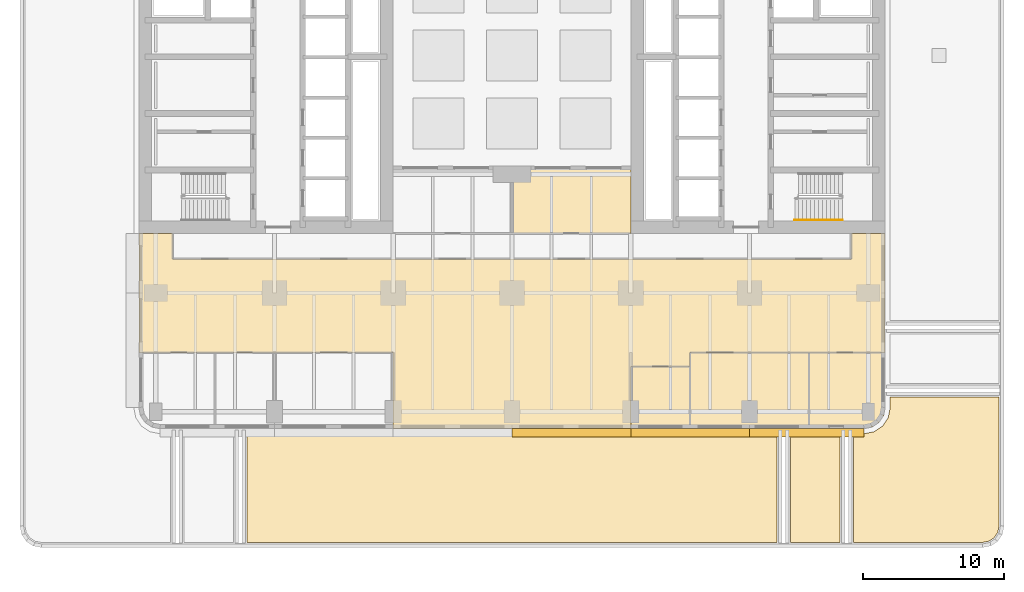
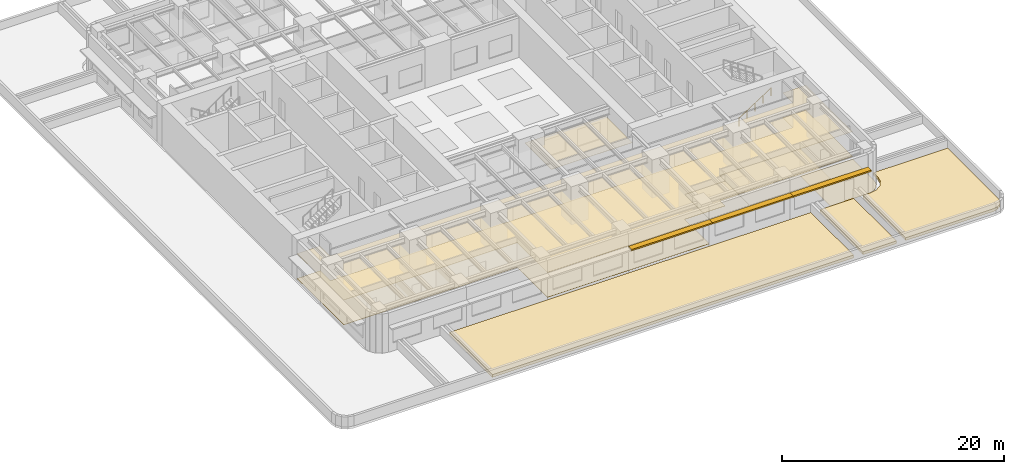
# One storey, part 13 of 17: 9 coverings, 3 shading devices, 1 railing.
"""IFC4 building model written with IfcOpenShell, lengths in metres."""

from ifc_helpers import new_model, si_unit, direction, frame, origin, origin_2d, place, context, subcontext, project, spatial, polyline, rectangle, circle, outline, extrude, material, layer, layer_set, type_object, element, save


model = new_model("IFC4")

# Units and contexts
model_context = context("Model", 3, precision=1e-05, world=origin(), true_north=direction((0.0, 1.0)))
body_context = subcontext(model_context, "Body", "Model", "MODEL_VIEW")
ifc_project = project(units=[si_unit("LENGTHUNIT", "METRE"), si_unit("AREAUNIT", "SQUARE_METRE"), si_unit("VOLUMEUNIT", "CUBIC_METRE"), si_unit("PLANEANGLEUNIT", "RADIAN"), si_unit("MASSUNIT", "GRAM", prefix="KILO")], contexts=[model_context])

# Site, building, storey
site_placement = place(None, origin())
site = spatial("IfcSite", under=ifc_project, at=site_placement, CompositionType="ELEMENT")
building_placement = place(site_placement, origin())
building = spatial("IfcBuilding", under=site, at=building_placement, Name="Claustro Exchange Tower", CompositionType="ELEMENT")
storey_placement = place(building_placement, frame((0.0, 0.0, 18.89990234375)))
storey = spatial("IfcBuildingStorey", under=building, at=storey_placement, Name="L04", CompositionType="ELEMENT", Elevation=18.89990234375)

# Coverings
ifc_material_1 = material(Name="Gypsum board ceiling", Category="gypsum board")
ifc_layer_1 = layer(ifc_material_1, 0.02490234375)
ifc_layer_set_1 = layer_set([ifc_layer_1], Name="Gypsum board ceiling")
covering_type_1 = type_object("IfcCoveringType", Name="CL2 plasterboard ceiling", PredefinedType="CEILING", material=ifc_layer_set_1)
covering_1_placement = place(storey_placement, frame((0.0, 0.0, 3.0)))
element("IfcCovering", 1, at=covering_1_placement, inside=storey, type_object=covering_type_1, Name="Ceiling CL2 L04-01", PredefinedType="CEILING", context=body_context, shape_type="SweptSolid", body=[
    extrude(outline(polyline([(33.60009765625, -1.199951171875), (37.800048828125, -1.199951171875), (37.800048828125, 3.199951171875), (33.60009765625, 3.199951171875), (33.60009765625, -1.199951171875)])), origin(), (0.0, 0.0, 1.0), 0.025146484375),
])
covering_2_placement = place(storey_placement, frame((0.0, 0.0, 3.0)))
element("IfcCovering", 2, at=covering_2_placement, inside=storey, type_object=covering_type_1, Name="Ceiling CL2 L04-05", PredefinedType="CEILING", context=body_context, shape_type="SweptSolid", body=[
    extrude(outline(polyline([(37.800048828125, -1.199951171875), (46.199951171875, -1.199951171875), (46.199951171875, 4.199951171875), (37.800048828125, 4.199951171875), (37.800048828125, -1.199951171875)])), origin(), (0.0, 0.0, 1.0), 0.025146484375),
])
covering_3_placement = place(storey_placement, frame((0.0, 0.0, 3.0)))
element("IfcCovering", 3, at=covering_3_placement, inside=storey, type_object=covering_type_1, Name="Ceiling CL2 L04-07", PredefinedType="CEILING", context=body_context, shape_type="SweptSolid", body=[
    extrude(outline(polyline([(-1.199951171875, 12.60009765625), (-1.199951171875, 4.199951171875), (4.199951171875, 4.199951171875), (8.39990234375, 4.199951171875), (16.800048828125, 4.199951171875), (16.800048828125, -1.199951171875), (33.60009765625, -1.199951171875), (33.60009765625, 3.199951171875), (37.800048828125, 3.199951171875), (37.800048828125, 4.199951171875), (46.199951171875, 4.199951171875), (51.60009765625, 4.199951171875), (51.60009765625, 12.60009765625), (49.199951171875, 12.60009765625), (49.199951171875, 10.800048828125), (1.199951171875, 10.800048828125), (1.199951171875, 12.60009765625), (-1.199951171875, 12.60009765625)])), origin(), (0.0, 0.0, 1.0), 0.025146484375),
])
covering_4_placement = place(storey_placement, frame((0.0, 0.0, 3.0)))
element("IfcCovering", 4, at=covering_4_placement, inside=storey, type_object=covering_type_1, Name="Ceiling CL2 L04-10", PredefinedType="CEILING", context=body_context, shape_type="SweptSolid", body=[
    extrude(outline(polyline([(33.60009765625, 17.39990234375), (25.199951171875, 17.39990234375), (25.199951171875, 12.60009765625), (33.60009765625, 12.60009765625), (33.60009765625, 17.39990234375)])), origin(), (0.0, 0.0, 1.0), 0.025146484375),
])
ifc_material_2 = material(Name="Epoxy resin floor finish", Category="resin")
ifc_layer_2 = layer(ifc_material_2, 0.006103515625)
ifc_layer_set_2 = layer_set([ifc_layer_2], Name="Epoxy resin floor finish")
covering_type_2 = type_object("IfcCoveringType", Name="FL2 resin plant room floor", PredefinedType="FLOORING", material=ifc_layer_set_2)
covering_5_placement = place(storey_placement, origin())
element("IfcCovering", 5, at=covering_5_placement, inside=storey, type_object=covering_type_2, Name="Resin floor FL2 L04-06", PredefinedType="FLOORING", context=body_context, shape_type="SweptSolid", body=[
    extrude(outline(polyline([(51.60009765625, 0.300048828125), (51.60009765625, 4.199951171875), (46.199951171875, 4.199951171875), (46.199951171875, -1.199951171875), (50.10009765625, -1.199951171875), (50.674072265625, -1.085693359375), (51.16064453125, -0.7607421875), (51.48583984375, -0.27392578125), (51.60009765625, 0.300048828125)])), origin(), (0.0, 0.0, 1.0), 0.006103515625),
])

# Railing
ifc_material_3 = material(Name="Stainless steel tube", Category="steel")
railing_type = type_object("IfcRailingType", Name="HR1 900 stair handrail", PredefinedType="HANDRAIL", material=ifc_material_3)
railing_placement = place(storey_placement, frame((45.199951171875, 13.56005859375, 0.18017578125)))
element("IfcRailing", 6, at=railing_placement, inside=storey, type_object=railing_type, Name="Handrail HR1 stair STEA L04", PredefinedType="HANDRAIL", context=body_context, shape_type="SweptSolid", body=[
    extrude(circle(Radius=0.02392578125, at=origin_2d()), frame((0.0, 0.0, 0.8759765625), z_axis=(0.84119634759, 0.0, 0.540729789082), x_axis=(0.0, 1.0, 0.0)), (0.0, 0.0, 1.0), 3.994384765625),
    extrude(circle(Radius=0.02099609375, at=origin_2d()), origin(), (0.0, 0.0, 1.0), 0.851806640625),
    extrude(circle(Radius=0.02099609375, at=origin_2d()), frame((0.840087890625, 0.0, 0.5400390625)), (0.0, 0.0, 1.0), 0.851806640625),
    extrude(circle(Radius=0.02099609375, at=origin_2d()), frame((1.68017578125, 0.0, 1.080078125)), (0.0, 0.0, 1.0), 0.851806640625),
    extrude(circle(Radius=0.02099609375, at=origin_2d()), frame((2.52001953125, 0.0, 1.619873046875)), (0.0, 0.0, 1.0), 0.851806640625),
    extrude(circle(Radius=0.02099609375, at=origin_2d()), frame((3.360107421875, 0.0, 2.159912109375)), (0.0, 0.0, 1.0), 0.851806640625),
])

# Coverings
ifc_material_4 = material(Name="Steel-encased raised floor panels on pedestals", Category="steel")
ifc_layer_3 = layer(ifc_material_4, 0.0400390625)
ifc_layer_set_3 = layer_set([ifc_layer_3], Name="Steel-encased raised floor panels on pedestals")
covering_type_3 = type_object("IfcCoveringType", Name="RF1 300 raised access floor", PredefinedType="FLOORING", material=ifc_layer_set_3)
covering_6_placement = place(storey_placement, frame((0.0, 0.0, 0.260009765625)))
element("IfcCovering", 7, at=covering_6_placement, inside=storey, type_object=covering_type_3, Name="Raised access floor RF1 L04-07", PredefinedType="FLOORING", context=body_context, shape_type="SweptSolid", body=[
    extrude(outline(polyline([(-1.199951171875, 12.60009765625), (-1.199951171875, 4.199951171875), (4.199951171875, 4.199951171875), (8.39990234375, 4.199951171875), (16.800048828125, 4.199951171875), (16.800048828125, -1.199951171875), (33.60009765625, -1.199951171875), (33.60009765625, 3.199951171875), (37.800048828125, 3.199951171875), (37.800048828125, 4.199951171875), (46.199951171875, 4.199951171875), (51.60009765625, 4.199951171875), (51.60009765625, 12.60009765625), (49.199951171875, 12.60009765625), (49.199951171875, 10.800048828125), (1.199951171875, 10.800048828125), (1.199951171875, 12.60009765625), (-1.199951171875, 12.60009765625)])), origin(), (0.0, 0.0, 1.0), 0.0400390625),
])
ifc_material_5 = material(Name="Sedum blanket on substrate and drainage layer", Category="soil")
ifc_layer_4 = layer(ifc_material_5, 0.300048828125)
ifc_layer_set_4 = layer_set([ifc_layer_4], Name="Sedum blanket on substrate and drainage layer")
covering_type_4 = type_object("IfcCoveringType", Name="RG1 300 extensive green roof build-up", PredefinedType="ROOFING", material=ifc_layer_set_4)
covering_7_placement = place(storey_placement, origin())
element("IfcCovering", 8, at=covering_7_placement, inside=storey, type_object=covering_type_4, Name="Roof finish RG1 over L03, maintenance access only", PredefinedType="ROOFING", context=body_context, shape_type="SweptSolid", body=[
    extrude(outline(polyline([(6.449951171875, -9.25), (43.949951171875, -9.25), (43.949951171875, -1.550048828125), (6.449951171875, -1.550048828125), (6.449951171875, -9.25)])), origin(), (0.0, 0.0, 1.0), 0.300048828125),
])
covering_8_placement = place(storey_placement, origin())
element("IfcCovering", 9, at=covering_8_placement, inside=storey, type_object=covering_type_4, Name="Roof finish RG1 over L03, maintenance access only", PredefinedType="ROOFING", context=body_context, shape_type="SweptSolid", body=[
    extrude(outline(polyline([(44.89990234375, -9.25), (48.39990234375, -9.25), (48.39990234375, -1.550048828125), (44.89990234375, -1.550048828125), (44.89990234375, -9.25)])), origin(), (0.0, 0.0, 1.0), 0.300048828125),
])
covering_9_placement = place(storey_placement, origin())
element("IfcCovering", 10, at=covering_9_placement, inside=storey, type_object=covering_type_4, Name="Roof finish RG1 over L03, maintenance access only", PredefinedType="ROOFING", context=body_context, shape_type="SweptSolid", body=[
    extrude(outline(polyline([(49.35009765625, -9.25), (58.465576171875, -9.25), (58.9375, -9.156005859375), (59.308349609375, -8.908447265625), (59.55615234375, -8.53759765625), (59.64990234375, -8.0654296875), (59.64990234375, 1.050048828125), (51.949951171875, 1.050048828125), (51.949951171875, 0.265380859375), (51.8154296875, -0.410400390625), (51.4130859375, -1.012939453125), (50.810546875, -1.41552734375), (50.134521484375, -1.550048828125), (49.35009765625, -1.550048828125), (49.35009765625, -9.25)])), origin(), (0.0, 0.0, 1.0), 0.300048828125),
])

# Shading devices
ifc_material_6 = material(Name="Concrete HA-40 (C40/50), precast, white cement, acid-etched", Category="concrete")
ifc_layer_5 = layer(ifc_material_6, 0.14990234375)
ifc_layer_set_5 = layer_set([ifc_layer_5], Name="Concrete HA-40 (C40/50), precast, white cement, acid-etched")
shading_device_type = type_object("IfcShadingDeviceType", Name="SS1 600 precast concrete SUNSHADE", PredefinedType="SHUTTER", material=ifc_layer_set_5)
shading_device_placement = place(storey_placement, frame((46.04248046875, -1.5, 2.800048828125), z_axis=(0.0, 0.0, 1.0), x_axis=(-1.0, 0.0, 0.0)))
element("IfcShadingDevice", 11, at=shading_device_placement, inside=storey, type_object=shading_device_type, Name="Precast SUNSHADE SS1 L04", PredefinedType="SHUTTER", context=body_context, shape_type="SweptSolid", body=[
    extrude(rectangle(XDim=8.085205078125, YDim=0.60009765625, at=origin_2d()), origin(), (0.0, 0.0, 1.0), 0.14990234375),
])
for number, where, z_axis, x_axis, name in (
    (12, (37.800048828125, -1.5, 2.800048828125), (0.0, 0.0, 1.0), (-1.0, 0.0, 0.0), "Precast SUNSHADE SS1 L04"),
    (13, (29.39990234375, -1.5, 2.800048828125), (0.0, 0.0, 1.0), (-1.0, 0.0, 0.0), "Precast SUNSHADE SS1 L04"),
):
    element("IfcShadingDevice", number, at=place(storey_placement, frame(where, z_axis=z_axis, x_axis=x_axis)), inside=storey, type_object=shading_device_type, Name=name, PredefinedType="SHUTTER", context=body_context, shape_type="SweptSolid", body=[
        extrude(rectangle(XDim=8.39990234375, YDim=0.60009765625, at=origin_2d()), origin(), (0.0, 0.0, 1.0), 0.14990234375),
    ])

save(model, "model.ifc")
